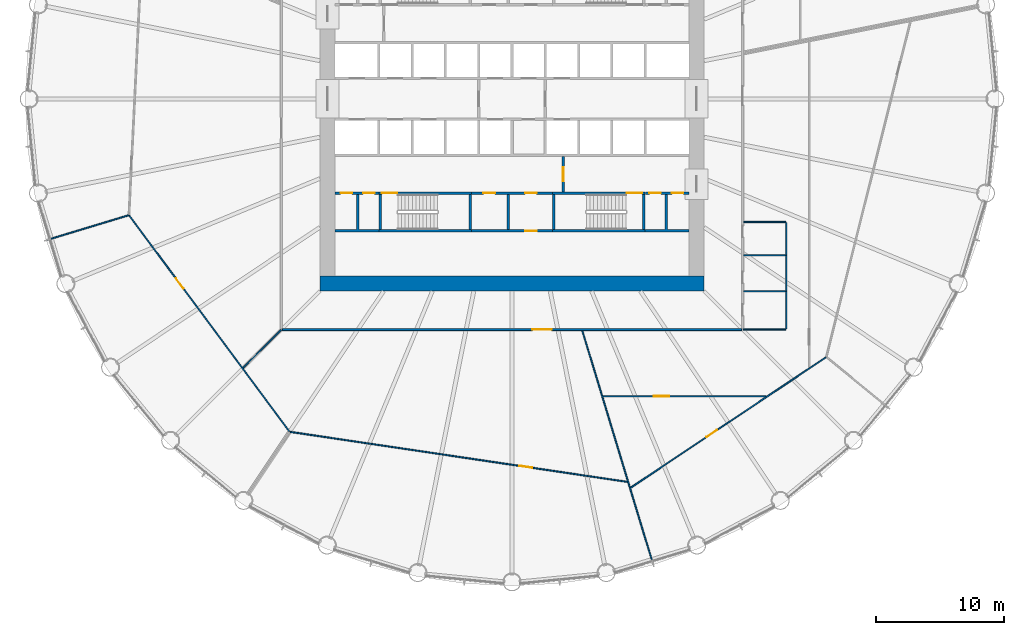
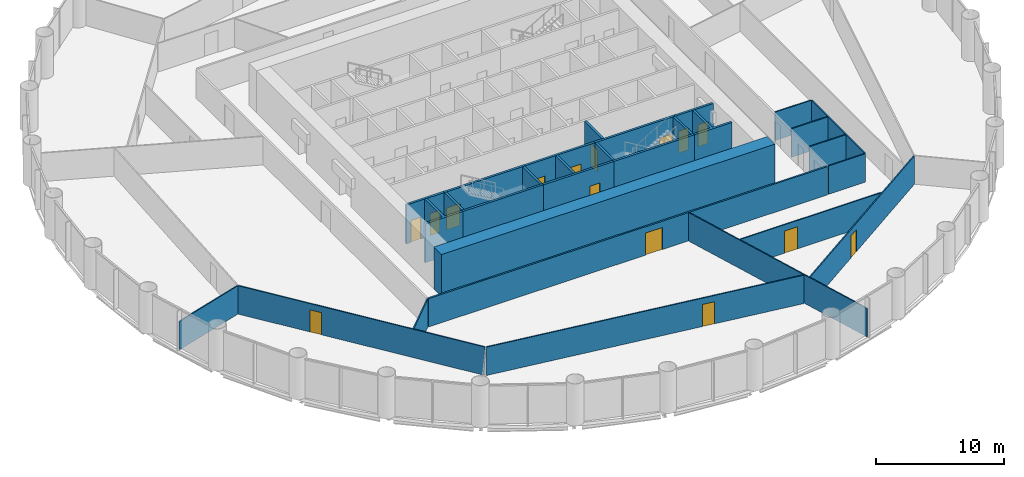
# One storey, part 10 of 15: 30 walls, 15 doors, 15 openings.
"""IFC4 building model written with IfcOpenShell, lengths in metres."""

import ifcopenshell
import ifcopenshell.guid

model = None  # the IFC model being written
_history = None  # IfcOwnerHistory: only IFC2X3 demands one
_inside = {}  # id of a spatial element -> (the spatial element, [elements in it])
_under = {}  # id of a project, library or spatial element -> (it, [spatial elements below it])
_declared = {}  # id of a project -> (the project, [libraries it declares])
_typed = {}  # id of a type object -> (the type object, [elements of that type])
_made_of = {}  # id of a material, layer set ... -> (it, [elements and type objects made of it])


def new_model(schema):
    """Start an empty IFC model of exactly this schema.

    Asked for "IFC4X3", IfcOpenShell would pick the latest addendum, in which some entities
    have other attributes; the version numbers below select the first issue.
    IFC2X3 requires an IfcOwnerHistory on every rooted entity: one is made here for all.
    """
    global model, _history
    if schema == "IFC4X3":
        model = ifcopenshell.file(schema_version=(4, 3, 0, 0))
    else:
        model = ifcopenshell.file(schema=schema)
    _inside.clear()
    _under.clear()
    _declared.clear()
    _typed.clear()
    _made_of.clear()
    _history = None
    if model.schema == "IFC2X3":
        org = make("IfcOrganization", Name="unknown")
        user = make(
            "IfcPersonAndOrganization",
            ThePerson=make("IfcPerson", FamilyName="unknown"),
            TheOrganization=org,
        )
        app = make(
            "IfcApplication",
            ApplicationDeveloper=org,
            Version="unknown",
            ApplicationFullName="unknown",
            ApplicationIdentifier="unknown",
        )
        _history = make(
            "IfcOwnerHistory",
            OwningUser=user,
            OwningApplication=app,
            ChangeAction="ADDED",
            CreationDate=0,
        )
    return model


def make(cls, **values):
    """One entity of the class cls with the attributes given. An attribute that is None is left unset."""
    return model.create_entity(
        cls, **{name: value for name, value in values.items() if value is not None}
    )


def rooted(cls, **values):
    """An entity with a GlobalId (a new one), such as an element, a storey or a relation."""
    return make(cls, GlobalId=ifcopenshell.guid.new(), OwnerHistory=_history, **values)


def si_unit(unit_type, name, prefix=None):
    """IfcSIUnit, for example si_unit("LENGTHUNIT", "METRE", prefix="MILLI")."""
    return make("IfcSIUnit", UnitType=unit_type, Prefix=prefix, Name=name)


def assignment(units):
    """IfcUnitAssignment: the units of a project."""
    return None if units is None else make("IfcUnitAssignment", Units=units)


def point(xyz):
    """IfcCartesianPoint."""
    return None if xyz is None else make("IfcCartesianPoint", Coordinates=xyz)


def direction(xyz):
    """IfcDirection."""
    return None if xyz is None else make("IfcDirection", DirectionRatios=xyz)


def frame(location, z_axis=None, x_axis=None):
    """IfcAxis2Placement3D, a coordinate frame: its origin and axes. An axis left out is left unset."""
    return make(
        "IfcAxis2Placement3D",
        Location=point(location),
        Axis=direction(z_axis),
        RefDirection=direction(x_axis),
    )


def frame_2d(location, x_axis=None):
    """IfcAxis2Placement2D, a coordinate frame in the plane: its origin and x axis."""
    return make(
        "IfcAxis2Placement2D", Location=point(location), RefDirection=direction(x_axis)
    )


def origin():
    """The frame at (0, 0, 0) with its axes left unset."""
    return frame((0.0, 0.0, 0.0))


def place(relative_to, where):
    """IfcLocalPlacement: puts the frame where relative to a parent placement (None: the world)."""
    return make(
        "IfcLocalPlacement", PlacementRelTo=relative_to, RelativePlacement=where
    )


def context(
    kind, dimensions, precision=None, world=None, true_north=None, identifier=None
):
    """IfcGeometricRepresentationContext, for example the 3D "Model" context."""
    return make(
        "IfcGeometricRepresentationContext",
        ContextIdentifier=identifier,
        ContextType=kind,
        CoordinateSpaceDimension=dimensions,
        Precision=precision,
        WorldCoordinateSystem=world,
        TrueNorth=true_north,
    )


def subcontext(parent, identifier, kind, view, scale=None):
    """IfcGeometricRepresentationSubContext, for example "Body" below "Model"."""
    return make(
        "IfcGeometricRepresentationSubContext",
        ContextIdentifier=identifier,
        ContextType=kind,
        ParentContext=parent,
        TargetScale=scale,
        TargetView=view,
    )


def project(units=None, contexts=None):
    """IfcProject with its units and contexts."""
    return rooted(
        "IfcProject",
        Name="project",
        RepresentationContexts=contexts,
        UnitsInContext=assignment(units),
    )


def spatial(cls, under=None, at=None, **own):
    """A site, building, storey or space (cls), placed at a placement, below another one or the project."""
    s = rooted(cls, ObjectPlacement=at, **own)
    if under is not None:
        _under.setdefault(under.id(), (under, []))[1].append(s)
    return s


def polyline(points):
    """IfcPolyline through the points."""
    return make("IfcPolyline", Points=[point(p) for p in points])


def profile(cls, at=None, kind="AREA", **sizes):
    """A parametric profile (cls). Its sizes go by their IFC names, for example OverallWidth=200.0."""
    return make(cls, ProfileType=kind, Position=at, **sizes)


def rectangle(**sizes):
    """IfcRectangleProfileDef."""
    return profile("IfcRectangleProfileDef", **sizes)


def outline(outer, holes=None, kind="AREA"):
    """IfcArbitraryClosedProfileDef: a profile drawn as a closed curve; with holes, ...WithVoids."""
    if holes is None:
        return make("IfcArbitraryClosedProfileDef", ProfileType=kind, OuterCurve=outer)
    return make(
        "IfcArbitraryProfileDefWithVoids",
        ProfileType=kind,
        OuterCurve=outer,
        InnerCurves=holes,
    )


def extrude(swept, where, along, depth):
    """IfcExtrudedAreaSolid: the profile swept, set in the frame where, extruded along a direction by depth."""
    return make(
        "IfcExtrudedAreaSolid",
        SweptArea=swept,
        Position=where,
        ExtrudedDirection=direction(along),
        Depth=depth,
    )


def shape(context_of_items, identifier, shape_type, items):
    """IfcShapeRepresentation: the items that make up one representation, for example the "Body"."""
    return make(
        "IfcShapeRepresentation",
        ContextOfItems=context_of_items,
        RepresentationIdentifier=identifier,
        RepresentationType=shape_type,
        Items=items,
    )


def material(Name=None, Category=None):
    """IfcMaterial."""
    return make("IfcMaterial", Name=Name, Category=Category)


def layer(
    of_material, thickness, ventilated=None, Name=None, Category=None, Priority=None
):
    """IfcMaterialLayer: one layer of a wall or slab, of a material (None: an air gap)."""
    return make(
        "IfcMaterialLayer",
        Material=of_material,
        LayerThickness=thickness,
        IsVentilated=ventilated,
        Name=Name,
        Category=Category,
        Priority=Priority,
    )


def layer_set(layers, Name=None):
    """IfcMaterialLayerSet."""
    return make("IfcMaterialLayerSet", MaterialLayers=layers, LayerSetName=Name)


def made_of(thing, what):
    """Note that an element or type object is made of a material, layer set ...; save() writes the relation."""
    if what is not None:
        _made_of.setdefault(what.id(), (what, []))[1].append(thing)
    return thing


def type_object(cls, material=None, **own):
    """A type object (cls), such as IfcWallType, which elements share."""
    return made_of(rooted(cls, **own), material)


def element(
    cls,
    number,
    at=None,
    inside=None,
    cuts=None,
    type_object=None,
    material=None,
    context=None,
    identifier="Body",
    shape_type=None,
    held_by="IfcProductDefinitionShape",
    body=None,
    shapes=None,
    **own,
):
    """One element of the class cls, such as IfcWall. Its Tag is "e" and its number.

    at: its placement. inside: the storey or other place that contains it. cuts: it is an
    opening in that element (IfcRelVoidsElement). A single representation is given by context,
    identifier, shape_type and body (its items); several are given by shapes. held_by: the class
    of the entity that holds the representations. save() writes the other relations.
    """
    e = rooted(cls, Tag="e%d" % number, ObjectPlacement=at, **own)
    if body is not None:
        shapes = [shape(context, identifier, shape_type, body)]
    if shapes is not None:
        e.Representation = make(held_by, Representations=shapes)
    if inside is not None:
        _inside.setdefault(inside.id(), (inside, []))[1].append(e)
    if cuts is not None:
        rooted(
            "IfcRelVoidsElement", RelatingBuildingElement=cuts, RelatedOpeningElement=e
        )
    if type_object is not None:
        _typed.setdefault(type_object.id(), (type_object, []))[1].append(e)
    return made_of(e, material)


def fill(opening, filler):
    """IfcRelFillsElement: the door or window that sits in an opening."""
    return rooted(
        "IfcRelFillsElement",
        RelatingOpeningElement=opening,
        RelatedBuildingElement=filler,
    )


def aggregate(whole, parts):
    """IfcRelAggregates: a whole, such as a stair, and the parts it consists of."""
    return rooted("IfcRelAggregates", RelatingObject=whole, RelatedObjects=parts)


def save(model, path):
    """Write the relations noted so far, then the file.

    IfcRelAggregates (storeys below a building ...), IfcRelContainedInSpatialStructure (elements
    in a storey), IfcRelDefinesByType, IfcRelAssociatesMaterial and IfcRelDeclares: one each for
    every whole, place, type object, material and project.
    """
    for whole, parts in _under.values():
        aggregate(whole, parts)
    for where, things in _inside.values():
        rooted(
            "IfcRelContainedInSpatialStructure",
            RelatedElements=things,
            RelatingStructure=where,
        )
    for kind, things in _typed.values():
        rooted("IfcRelDefinesByType", RelatedObjects=things, RelatingType=kind)
    for what, things in _made_of.values():
        rooted("IfcRelAssociatesMaterial", RelatedObjects=things, RelatingMaterial=what)
    for by, libraries in _declared.values():
        rooted("IfcRelDeclares", RelatingContext=by, RelatedDefinitions=libraries)
    model.write(path)


model = new_model("IFC4")

# Units and contexts
model_context = context("Model", 3, precision=1e-05, world=origin(), true_north=direction((0.0, 1.0)))
body_context = subcontext(model_context, "Body", "Model", "MODEL_VIEW")
ifc_project = project(units=[si_unit("LENGTHUNIT", "METRE"), si_unit("AREAUNIT", "SQUARE_METRE"), si_unit("VOLUMEUNIT", "CUBIC_METRE"), si_unit("PLANEANGLEUNIT", "RADIAN"), si_unit("MASSUNIT", "GRAM", prefix="KILO")], contexts=[model_context])

# Site, building, storey
site_placement = place(None, origin())
site = spatial("IfcSite", under=ifc_project, at=site_placement, CompositionType="ELEMENT")
building_placement = place(site_placement, origin())
building = spatial("IfcBuilding", under=site, at=building_placement, Name="Corvane Civic Tower", CompositionType="ELEMENT")
storey_placement = place(building_placement, frame((0.0, 0.0, 69.0)))
storey = spatial("IfcBuildingStorey", under=building, at=storey_placement, Name="L15", CompositionType="ELEMENT", Elevation=69.0)

# Wall
ifc_material_1 = material(Name="Concrete C80/95", Category="concrete")
ifc_layer_1 = layer(ifc_material_1, 1.199951171875)
ifc_layer_set_1 = layer_set([ifc_layer_1], Name="Concrete C80/95")
wall_type_1 = type_object("IfcWallType", Name="CORE WALL 1200 C80/95", PredefinedType="SHEAR", material=ifc_layer_set_1)
wall_1_placement = place(storey_placement, frame((-15.0, -14.39990234375, 0.0), z_axis=(0.0, 0.0, 1.0), x_axis=(1.0, 0.0, 0.0)))
element("IfcWall", 1, at=wall_1_placement, inside=storey, type_object=wall_type_1, Name="W-L15-core-S", PredefinedType="SHEAR", context=body_context, shape_type="SweptSolid", body=[
    extrude(rectangle(XDim=30.0, YDim=1.199951171875, at=frame_2d((15.0, 0.0))), origin(), (0.0, 0.0, 1.0), 4.0),
])

# Wall, opening, door
ifc_material_2 = material(Name="Concrete C30/37", Category="concrete")
ifc_layer_2 = layer(ifc_material_2, 0.199951171875)
ifc_layer_set_2 = layer_set([ifc_layer_2], Name="Concrete C30/37")
wall_type_2 = type_object("IfcWallType", Name="CR-WALL-200", PredefinedType="PARTITIONING", material=ifc_layer_set_2)
wall_2_placement = place(storey_placement, frame((-3.14990234375, -10.300048828125, 0.0), z_axis=(0.0, 0.0, 1.0), x_axis=(1.0, 0.0, 0.0)))
wall_2 = element("IfcWall", 2, at=wall_2_placement, inside=storey, type_object=wall_type_2, Name="L15 partition wall", PredefinedType="PARTITIONING", context=body_context, shape_type="SweptSolid", body=[
    extrude(rectangle(XDim=6.2998046875, YDim=0.199951171875, at=frame_2d((3.14990234375, 0.0))), origin(), (0.0, 0.0, 1.0), 3.699951171875),
])
opening_1_placement = place(wall_2_placement, frame((4.175048828125, 0.0, 0.0)))
opening_1 = element("IfcOpeningElement", 3, at=opening_1_placement, cuts=wall_2, Name="Opening L15.C07", PredefinedType="OPENING", context=body_context, shape_type="SweptSolid", body=[
    extrude(rectangle(XDim=0.89990234375, YDim=2.10009765625, at=frame_2d((0.449951171875, 1.050048828125))), frame((0.0, 0.10986328125, 0.0), z_axis=(0.0, -1.0, 0.0), x_axis=(1.0, 0.0, 0.0)), (0.0, 0.0, 1.0), 0.219970703125),
])
ifc_material_3 = material(Name="Steel fire door leaf", Category="steel")
door_type_1 = type_object("IfcDoorType", Name="CR-DOOR-900", OperationType="SINGLE_SWING_LEFT", PredefinedType="DOOR", material=ifc_material_3)
door_1_placement = place(opening_1_placement, origin())
door_1 = element("IfcDoor", 4, at=door_1_placement, inside=storey, type_object=door_type_1, Name="L15 door", OperationType="SINGLE_SWING_LEFT", OverallHeight=2.10009765625, OverallWidth=0.89990234375, PredefinedType="DOOR", context=body_context, shape_type="SweptSolid", body=[
    extrude(rectangle(XDim=0.89990234375, YDim=2.10009765625, at=frame_2d((0.449951171875, 1.050048828125))), frame((0.0, 0.02490234375, 0.0), z_axis=(0.0, -1.0, 0.0), x_axis=(1.0, 0.0, 0.0)), (0.0, 0.0, 1.0), 0.050048828125),
])
fill(opening_1, door_1)

# Wall, openings, doors
wall_3_placement = place(storey_placement, frame((-13.800048828125, -7.35009765625, 0.0), z_axis=(0.0, 0.0, 1.0), x_axis=(1.0, 0.0, 0.0)))
wall_3 = element("IfcWall", 5, at=wall_3_placement, inside=storey, type_object=wall_type_2, Name="L15 core partition wall", PredefinedType="PARTITIONING", context=body_context, shape_type="SweptSolid", body=[
    extrude(rectangle(XDim=3.400146484375, YDim=0.199951171875, at=frame_2d((1.7001953125, 0.0))), origin(), (0.0, 0.0, 1.0), 3.699951171875),
])
opening_2_placement = place(wall_3_placement, frame((0.425048828125, 0.0, 0.0)))
opening_2 = element("IfcOpeningElement", 6, at=opening_2_placement, cuts=wall_3, Name="Opening L15.C10", PredefinedType="OPENING", context=body_context, shape_type="SweptSolid", body=[
    extrude(rectangle(XDim=0.89990234375, YDim=2.10009765625, at=frame_2d((0.449951171875, 1.050048828125))), frame((0.0, 0.10986328125, 0.0), z_axis=(0.0, -1.0, 0.0), x_axis=(1.0, 0.0, 0.0)), (0.0, 0.0, 1.0), 0.219970703125),
])
opening_3_placement = place(wall_3_placement, frame((2.175048828125, 0.0, 0.0)))
opening_3 = element("IfcOpeningElement", 7, at=opening_3_placement, cuts=wall_3, Name="Opening L15.C11", PredefinedType="OPENING", context=body_context, shape_type="SweptSolid", body=[
    extrude(rectangle(XDim=0.89990234375, YDim=2.10009765625, at=frame_2d((0.449951171875, 1.050048828125))), frame((0.0, 0.10986328125, 0.0), z_axis=(0.0, -1.0, 0.0), x_axis=(1.0, 0.0, 0.0)), (0.0, 0.0, 1.0), 0.219970703125),
])
door_2_placement = place(opening_2_placement, origin())
door_2 = element("IfcDoor", 8, at=door_2_placement, inside=storey, type_object=door_type_1, Name="L15 door", OperationType="SINGLE_SWING_LEFT", OverallHeight=2.10009765625, OverallWidth=0.89990234375, PredefinedType="DOOR", context=body_context, shape_type="SweptSolid", body=[
    extrude(rectangle(XDim=0.89990234375, YDim=2.10009765625, at=frame_2d((0.449951171875, 1.050048828125))), frame((0.0, 0.02490234375, 0.0), z_axis=(0.0, -1.0, 0.0), x_axis=(1.0, 0.0, 0.0)), (0.0, 0.0, 1.0), 0.050048828125),
])
fill(opening_2, door_2)
door_3_placement = place(opening_3_placement, origin())
door_3 = element("IfcDoor", 9, at=door_3_placement, inside=storey, type_object=door_type_1, Name="L15 door", OperationType="SINGLE_SWING_LEFT", OverallHeight=2.10009765625, OverallWidth=0.89990234375, PredefinedType="DOOR", context=body_context, shape_type="SweptSolid", body=[
    extrude(rectangle(XDim=0.89990234375, YDim=2.10009765625, at=frame_2d((0.449951171875, 1.050048828125))), frame((0.0, 0.02490234375, 0.0), z_axis=(0.0, -1.0, 0.0), x_axis=(1.0, 0.0, 0.0)), (0.0, 0.0, 1.0), 0.050048828125),
])
fill(opening_3, door_3)

wall_4_placement = place(storey_placement, frame((-3.14990234375, -7.35009765625, 0.0), z_axis=(0.0, 0.0, 1.0), x_axis=(1.0, 0.0, 0.0)))
wall_4 = element("IfcWall", 10, at=wall_4_placement, inside=storey, type_object=wall_type_2, Name="L15 core partition wall", PredefinedType="PARTITIONING", context=body_context, shape_type="SweptSolid", body=[
    extrude(rectangle(XDim=6.2998046875, YDim=0.199951171875, at=frame_2d((3.14990234375, 0.0))), origin(), (0.0, 0.0, 1.0), 3.699951171875),
])
opening_4_placement = place(wall_4_placement, frame((0.925048828125, 0.0, 0.0)))
opening_4 = element("IfcOpeningElement", 11, at=opening_4_placement, cuts=wall_4, Name="Opening L15.C04", PredefinedType="OPENING", context=body_context, shape_type="SweptSolid", body=[
    extrude(rectangle(XDim=0.89990234375, YDim=2.10009765625, at=frame_2d((0.449951171875, 1.050048828125))), frame((0.0, 0.10986328125, 0.0), z_axis=(0.0, -1.0, 0.0), x_axis=(1.0, 0.0, 0.0)), (0.0, 0.0, 1.0), 0.219970703125),
])
opening_5_placement = place(wall_4_placement, frame((4.175048828125, 0.0, 0.0)))
opening_5 = element("IfcOpeningElement", 12, at=opening_5_placement, cuts=wall_4, Name="Opening L15.C05", PredefinedType="OPENING", context=body_context, shape_type="SweptSolid", body=[
    extrude(rectangle(XDim=0.89990234375, YDim=2.10009765625, at=frame_2d((0.449951171875, 1.050048828125))), frame((0.0, 0.10986328125, 0.0), z_axis=(0.0, -1.0, 0.0), x_axis=(1.0, 0.0, 0.0)), (0.0, 0.0, 1.0), 0.219970703125),
])
door_4_placement = place(opening_4_placement, origin())
door_4 = element("IfcDoor", 13, at=door_4_placement, inside=storey, type_object=door_type_1, Name="L15 door", OperationType="SINGLE_SWING_LEFT", OverallHeight=2.10009765625, OverallWidth=0.89990234375, PredefinedType="DOOR", context=body_context, shape_type="SweptSolid", body=[
    extrude(rectangle(XDim=0.89990234375, YDim=2.10009765625, at=frame_2d((0.449951171875, 1.050048828125))), frame((0.0, 0.02490234375, 0.0), z_axis=(0.0, -1.0, 0.0), x_axis=(1.0, 0.0, 0.0)), (0.0, 0.0, 1.0), 0.050048828125),
])
fill(opening_4, door_4)
door_5_placement = place(opening_5_placement, origin())
door_5 = element("IfcDoor", 14, at=door_5_placement, inside=storey, type_object=door_type_1, Name="L15 door", OperationType="SINGLE_SWING_LEFT", OverallHeight=2.10009765625, OverallWidth=0.89990234375, PredefinedType="DOOR", context=body_context, shape_type="SweptSolid", body=[
    extrude(rectangle(XDim=0.89990234375, YDim=2.10009765625, at=frame_2d((0.449951171875, 1.050048828125))), frame((0.0, 0.02490234375, 0.0), z_axis=(0.0, -1.0, 0.0), x_axis=(1.0, 0.0, 0.0)), (0.0, 0.0, 1.0), 0.050048828125),
])
fill(opening_5, door_5)

wall_5_placement = place(storey_placement, frame((10.39990234375, -7.35009765625, 0.0), z_axis=(0.0, 0.0, 1.0), x_axis=(1.0, 0.0, 0.0)))
wall_5 = element("IfcWall", 15, at=wall_5_placement, inside=storey, type_object=wall_type_2, Name="L15 core partition wall", PredefinedType="PARTITIONING", context=body_context, shape_type="SweptSolid", body=[
    extrude(rectangle(XDim=3.400146484375, YDim=0.199951171875, at=frame_2d((1.7001953125, 0.0))), origin(), (0.0, 0.0, 1.0), 3.699951171875),
])
opening_6_placement = place(wall_5_placement, frame((0.324951171875, 0.0, 0.0)))
opening_6 = element("IfcOpeningElement", 16, at=opening_6_placement, cuts=wall_5, Name="Opening L15.C14", PredefinedType="OPENING", context=body_context, shape_type="SweptSolid", body=[
    extrude(rectangle(XDim=0.89990234375, YDim=2.10009765625, at=frame_2d((0.449951171875, 1.050048828125))), frame((0.0, 0.10986328125, 0.0), z_axis=(0.0, -1.0, 0.0), x_axis=(1.0, 0.0, 0.0)), (0.0, 0.0, 1.0), 0.219970703125),
])
opening_7_placement = place(wall_5_placement, frame((2.074951171875, 0.0, 0.0)))
opening_7 = element("IfcOpeningElement", 17, at=opening_7_placement, cuts=wall_5, Name="Opening L15.C15", PredefinedType="OPENING", context=body_context, shape_type="SweptSolid", body=[
    extrude(rectangle(XDim=0.89990234375, YDim=2.10009765625, at=frame_2d((0.449951171875, 1.050048828125))), frame((0.0, 0.10986328125, 0.0), z_axis=(0.0, -1.0, 0.0), x_axis=(1.0, 0.0, 0.0)), (0.0, 0.0, 1.0), 0.219970703125),
])
door_6_placement = place(opening_6_placement, origin())
door_6 = element("IfcDoor", 18, at=door_6_placement, inside=storey, type_object=door_type_1, Name="L15 door", OperationType="SINGLE_SWING_LEFT", OverallHeight=2.10009765625, OverallWidth=0.89990234375, PredefinedType="DOOR", context=body_context, shape_type="SweptSolid", body=[
    extrude(rectangle(XDim=0.89990234375, YDim=2.10009765625, at=frame_2d((0.449951171875, 1.050048828125))), frame((0.0, 0.02490234375, 0.0), z_axis=(0.0, -1.0, 0.0), x_axis=(1.0, 0.0, 0.0)), (0.0, 0.0, 1.0), 0.050048828125),
])
fill(opening_6, door_6)
door_7_placement = place(opening_7_placement, origin())
door_7 = element("IfcDoor", 19, at=door_7_placement, inside=storey, type_object=door_type_1, Name="L15 door", OperationType="SINGLE_SWING_LEFT", OverallHeight=2.10009765625, OverallWidth=0.89990234375, PredefinedType="DOOR", context=body_context, shape_type="SweptSolid", body=[
    extrude(rectangle(XDim=0.89990234375, YDim=2.10009765625, at=frame_2d((0.449951171875, 1.050048828125))), frame((0.0, 0.02490234375, 0.0), z_axis=(0.0, -1.0, 0.0), x_axis=(1.0, 0.0, 0.0)), (0.0, 0.0, 1.0), 0.050048828125),
])
fill(opening_7, door_7)

# Wall, opening, door
wall_6_placement = place(storey_placement, frame((4.0, -7.25, 0.0), z_axis=(0.0, 0.0, 1.0), x_axis=(0.0, 1.0, 0.0)))
wall_6 = element("IfcWall", 20, at=wall_6_placement, inside=storey, type_object=wall_type_2, Name="L15 core partition wall", PredefinedType="PARTITIONING", context=body_context, shape_type="SweptSolid", body=[
    extrude(rectangle(XDim=2.75, YDim=0.199951171875, at=frame_2d((1.375, 0.0))), origin(), (0.0, 0.0, 1.0), 3.699951171875),
])
opening_8_placement = place(wall_6_placement, frame((0.824951171875, 0.0, 0.0)))
opening_8 = element("IfcOpeningElement", 21, at=opening_8_placement, cuts=wall_6, Name="Opening L15.C23", PredefinedType="OPENING", context=body_context, shape_type="SweptSolid", body=[
    extrude(rectangle(XDim=1.10009765625, YDim=2.10009765625, at=frame_2d((0.550048828125, 1.050048828125))), frame((0.0, 0.10986328125, 0.0), z_axis=(0.0, -1.0, 0.0), x_axis=(1.0, 0.0, 0.0)), (0.0, 0.0, 1.0), 0.219970703125),
])
ifc_material_4 = material(Name="Steel fire door leaf", Category="steel")
door_type_2 = type_object("IfcDoorType", Name="CR-DOOR-FFL-1100", OperationType="SINGLE_SWING_LEFT", PredefinedType="DOOR", material=ifc_material_4)
door_8_placement = place(opening_8_placement, origin())
door_8 = element("IfcDoor", 22, at=door_8_placement, inside=storey, type_object=door_type_2, Name="L15 lobby door", OperationType="SINGLE_SWING_LEFT", OverallHeight=2.10009765625, OverallWidth=1.10009765625, PredefinedType="DOOR", context=body_context, shape_type="SweptSolid", body=[
    extrude(rectangle(XDim=1.10009765625, YDim=2.10009765625, at=frame_2d((0.550048828125, 1.050048828125))), frame((0.0, 0.02490234375, 0.0), z_axis=(0.0, -1.0, 0.0), x_axis=(1.0, 0.0, 0.0)), (0.0, 0.0, 1.0), 0.050048828125),
])
fill(opening_8, door_8)

# Walls
wall_7_placement = place(storey_placement, origin())
element("IfcWall", 23, at=wall_7_placement, inside=storey, type_object=wall_type_2, Name="L15 core partition wall", PredefinedType="PARTITIONING", context=body_context, shape_type="SweptSolid", body=[
    extrude(outline(polyline([(-12.14990234375, -7.449951171875), (-11.949951171875, -7.449951171875), (-11.949951171875, -10.199951171875), (-10.39990234375, -10.199951171875), (-10.39990234375, -10.39990234375), (-13.800048828125, -10.39990234375), (-13.800048828125, -10.199951171875), (-12.14990234375, -10.199951171875), (-12.14990234375, -7.449951171875)])), origin(), (0.0, 0.0, 1.0), 3.699951171875),
])
wall_8_placement = place(storey_placement, origin())
element("IfcWall", 24, at=wall_8_placement, inside=storey, type_object=wall_type_2, Name="L15 core partition wall", PredefinedType="PARTITIONING", context=body_context, shape_type="SweptSolid", body=[
    extrude(outline(polyline([(-0.199951171875, -10.199951171875), (-0.39990234375, -10.199951171875), (-0.39990234375, -7.449951171875), (-0.199951171875, -7.449951171875), (-0.199951171875, -10.199951171875)])), origin(), (0.0, 0.0, 1.0), 3.699951171875),
])
wall_9_placement = place(storey_placement, origin())
element("IfcWall", 25, at=wall_9_placement, inside=storey, type_object=wall_type_2, Name="L15 core partition wall", PredefinedType="PARTITIONING", context=body_context, shape_type="SweptSolid", body=[
    extrude(outline(polyline([(11.949951171875, -7.449951171875), (12.14990234375, -7.449951171875), (12.14990234375, -10.199951171875), (13.800048828125, -10.199951171875), (13.800048828125, -10.39990234375), (10.39990234375, -10.39990234375), (10.39990234375, -10.199951171875), (11.949951171875, -10.199951171875), (11.949951171875, -7.449951171875)])), origin(), (0.0, 0.0, 1.0), 3.699951171875),
])
ifc_material_5 = material(Name="Plasterboard")
ifc_layer_3 = layer(ifc_material_5, 0.10009765625)
ifc_layer_set_3 = layer_set([ifc_layer_3], Name="Plasterboard")
wall_type_3 = type_object("IfcWallType", Name="Partition 100 plasterboard on studs", PredefinedType="PARTITIONING", material=ifc_layer_set_3)
wall_10_placement = place(storey_placement, frame((5.4873046875, -18.089599609375, 0.0), z_axis=(0.0, 0.0, 1.0), x_axis=(0.290288785373, -0.956939089539, 0.0)))
element("IfcWall", 26, at=wall_10_placement, inside=storey, type_object=wall_type_3, Name="Partition L15.001", PredefinedType="PARTITIONING", context=body_context, shape_type="SweptSolid", body=[
    extrude(rectangle(XDim=19.046630859375, YDim=0.10009765625, at=frame_2d((9.5234375, 0.0))), origin(), (0.0, 0.0, 1.0), 2.699951171875),
])

# Wall, opening, door
wall_11_placement = place(storey_placement, frame((9.2705078125, -30.33837890625, 0.0), z_axis=(0.0, 0.0, 1.0), x_axis=(0.831469761592, 0.555570009592, 0.0)))
wall_11 = element("IfcWall", 27, at=wall_11_placement, inside=storey, type_object=wall_type_3, Name="Partition L15.003", PredefinedType="PARTITIONING", context=body_context, shape_type="SweptSolid", body=[
    extrude(rectangle(XDim=18.32421875, YDim=0.10009765625, at=frame_2d((9.162109375, 0.0))), origin(), (0.0, 0.0, 1.0), 2.699951171875),
])
opening_9_placement = place(wall_11_placement, frame((7.1015625, 0.0, 0.0)))
opening_9 = element("IfcOpeningElement", 28, at=opening_9_placement, cuts=wall_11, Name="Opening L15.012", PredefinedType="OPENING", context=body_context, shape_type="SweptSolid", body=[
    extrude(rectangle(XDim=1.0, YDim=2.10009765625, at=frame_2d((0.5, 1.050048828125))), frame((0.0, 0.06005859375, 0.0), z_axis=(0.0, -1.0, 0.0), x_axis=(1.0, 0.0, 0.0)), (0.0, 0.0, 1.0), 0.1201171875),
])
ifc_material_6 = material(Name="Timber", Category="wood")
door_type_3 = type_object("IfcDoorType", Name="Single door 1000", OperationType="NOTDEFINED", PredefinedType="DOOR", material=ifc_material_6)
door_9_placement = place(opening_9_placement, frame((1.0, 0.0, 0.0), z_axis=(0.0, 0.0, 1.0), x_axis=(-1.0, 0.0, 0.0)))
door_9 = element("IfcDoor", 29, at=door_9_placement, inside=storey, type_object=door_type_3, Name="Door L15.012", OperationType="SINGLE_SWING_LEFT", OverallHeight=2.10009765625, OverallWidth=1.0, PredefinedType="DOOR", context=body_context, shape_type="SweptSolid", body=[
    extrude(rectangle(XDim=1.0, YDim=2.10009765625, at=frame_2d((0.5, 1.050048828125))), frame((0.0, 0.02490234375, 0.0), z_axis=(0.0, -1.0, 0.0), x_axis=(1.0, 0.0, 0.0)), (0.0, 0.0, 1.0), 0.050048828125),
])
fill(opening_9, door_9)

wall_12_placement = place(storey_placement, frame((-17.32568359375, -25.9814453125, 0.0), z_axis=(0.0, 0.0, 1.0), x_axis=(0.989175952024, -0.146734235738, 0.0)))
wall_12 = element("IfcWall", 30, at=wall_12_placement, inside=storey, type_object=wall_type_3, Name="Partition L15.004", PredefinedType="PARTITIONING", context=body_context, shape_type="SweptSolid", body=[
    extrude(rectangle(XDim=26.604736328125, YDim=0.10009765625, at=frame_2d((13.30224609375, 0.0))), origin(), (0.0, 0.0, 1.0), 2.699951171875),
])
opening_10_placement = place(wall_12_placement, frame((18.100341796875, 0.0, 0.0)))
opening_10 = element("IfcOpeningElement", 31, at=opening_10_placement, cuts=wall_12, Name="Opening L15.019", PredefinedType="OPENING", context=body_context, shape_type="SweptSolid", body=[
    extrude(rectangle(XDim=1.0, YDim=2.10009765625, at=frame_2d((0.5, 1.050048828125))), frame((0.0, 0.06005859375, 0.0), z_axis=(0.0, -1.0, 0.0), x_axis=(1.0, 0.0, 0.0)), (0.0, 0.0, 1.0), 0.1201171875),
])
door_10_placement = place(opening_10_placement, frame((1.0, 0.0, 0.0), z_axis=(0.0, 0.0, 1.0), x_axis=(-1.0, 0.0, 0.0)))
door_10 = element("IfcDoor", 32, at=door_10_placement, inside=storey, type_object=door_type_3, Name="Door L15.019", OperationType="SINGLE_SWING_RIGHT", OverallHeight=2.10009765625, OverallWidth=1.0, PredefinedType="DOOR", context=body_context, shape_type="SweptSolid", body=[
    extrude(rectangle(XDim=1.0, YDim=2.10009765625, at=frame_2d((0.5, 1.050048828125))), frame((0.0, 0.02490234375, 0.0), z_axis=(0.0, -1.0, 0.0), x_axis=(1.0, 0.0, 0.0)), (0.0, 0.0, 1.0), 0.050048828125),
])
fill(opening_10, door_10)

wall_13_placement = place(storey_placement, frame((-29.8759765625, -9.097412109375, 0.0), z_axis=(0.0, 0.0, 1.0), x_axis=(0.595705280383, -0.803203099424, 0.0)))
wall_13 = element("IfcWall", 33, at=wall_13_placement, inside=storey, type_object=wall_type_3, Name="Partition L15.005", PredefinedType="PARTITIONING", context=body_context, shape_type="SweptSolid", body=[
    extrude(rectangle(XDim=20.979736328125, YDim=0.10009765625, at=frame_2d((10.48974609375, 0.0))), origin(), (0.0, 0.0, 1.0), 2.699951171875),
])
opening_11_placement = place(wall_13_placement, frame((6.098388671875, 0.0, 0.0)))
opening_11 = element("IfcOpeningElement", 34, at=opening_11_placement, cuts=wall_13, Name="Opening L15.020", PredefinedType="OPENING", context=body_context, shape_type="SweptSolid", body=[
    extrude(rectangle(XDim=1.0, YDim=2.10009765625, at=frame_2d((0.5, 1.050048828125))), frame((0.0, 0.06005859375, 0.0), z_axis=(0.0, -1.0, 0.0), x_axis=(1.0, 0.0, 0.0)), (0.0, 0.0, 1.0), 0.1201171875),
])
door_11_placement = place(opening_11_placement, frame((1.0, 0.0, 0.0), z_axis=(0.0, 0.0, 1.0), x_axis=(-1.0, 0.0, 0.0)))
door_11 = element("IfcDoor", 35, at=door_11_placement, inside=storey, type_object=door_type_3, Name="Door L15.020", OperationType="SINGLE_SWING_LEFT", OverallHeight=2.10009765625, OverallWidth=1.0, PredefinedType="DOOR", context=body_context, shape_type="SweptSolid", body=[
    extrude(rectangle(XDim=1.0, YDim=2.10009765625, at=frame_2d((0.5, 1.050048828125))), frame((0.0, 0.02490234375, 0.0), z_axis=(0.0, -1.0, 0.0), x_axis=(1.0, 0.0, 0.0)), (0.0, 0.0, 1.0), 0.050048828125),
])
fill(opening_11, door_11)

wall_14_placement = place(storey_placement, frame((7.10498046875, -23.199951171875, 0.0), z_axis=(0.0, 0.0, 1.0), x_axis=(1.0, 0.0, 0.0)))
wall_14 = element("IfcWall", 36, at=wall_14_placement, inside=storey, type_object=wall_type_3, Name="Partition L15.007", PredefinedType="PARTITIONING", context=body_context, shape_type="SweptSolid", body=[
    extrude(rectangle(XDim=12.68408203125, YDim=0.10009765625, at=frame_2d((6.342041015625, 0.0))), origin(), (0.0, 0.0, 1.0), 2.699951171875),
])
opening_12_placement = place(wall_14_placement, frame((3.967529296875, 0.0, 0.0)))
opening_12 = element("IfcOpeningElement", 37, at=opening_12_placement, cuts=wall_14, Name="Opening L15.013", PredefinedType="OPENING", context=body_context, shape_type="SweptSolid", body=[
    extrude(rectangle(XDim=1.199951171875, YDim=2.10009765625, at=frame_2d((0.60009765625, 1.050048828125))), frame((0.0, 0.06005859375, 0.0), z_axis=(0.0, -1.0, 0.0), x_axis=(1.0, 0.0, 0.0)), (0.0, 0.0, 1.0), 0.1201171875),
])
ifc_material_7 = material(Name="Timber", Category="wood")
door_type_4 = type_object("IfcDoorType", Name="Double door 1200", OperationType="NOTDEFINED", PredefinedType="DOOR", material=ifc_material_7)
door_12_placement = place(opening_12_placement, frame((1.199951171875, 0.0, 0.0), z_axis=(0.0, 0.0, 1.0), x_axis=(-1.0, 0.0, 0.0)))
door_12 = element("IfcDoor", 38, at=door_12_placement, inside=storey, type_object=door_type_4, Name="Door L15.013", OperationType="DOUBLE_DOOR_SINGLE_SWING", OverallHeight=2.10009765625, OverallWidth=1.199951171875, PredefinedType="DOOR", context=body_context, shape_type="SweptSolid", body=[
    extrude(rectangle(XDim=1.199951171875, YDim=2.10009765625, at=frame_2d((0.60009765625, 1.050048828125))), frame((0.0, 0.02490234375, 0.0), z_axis=(0.0, -1.0, 0.0), x_axis=(1.0, 0.0, 0.0)), (0.0, 0.0, 1.0), 0.050048828125),
])
fill(opening_12, door_12)

# Walls
wall_15_placement = place(storey_placement, frame((-20.98681640625, -20.98681640625, 0.0), z_axis=(0.0, 0.0, 1.0), x_axis=(0.707106781187, 0.707106781187, 0.0)))
element("IfcWall", 39, at=wall_15_placement, inside=storey, type_object=wall_type_3, Name="Partition L15.008", PredefinedType="PARTITIONING", context=body_context, shape_type="SweptSolid", body=[
    extrude(rectangle(XDim=4.203369140625, YDim=0.10009765625, at=frame_2d((2.1015625, 0.0))), origin(), (0.0, 0.0, 1.0), 2.699951171875),
])
wall_16_placement = place(storey_placement, frame((18.050048828125, -18.0, 0.0), z_axis=(0.0, 0.0, 1.0), x_axis=(1.0, 0.0, 0.0)))
element("IfcWall", 40, at=wall_16_placement, inside=storey, type_object=wall_type_3, Name="Partition L15.012", PredefinedType="PARTITIONING", context=body_context, shape_type="SweptSolid", body=[
    extrude(rectangle(XDim=3.300048828125, YDim=0.10009765625, at=frame_2d((1.64990234375, 0.0))), origin(), (0.0, 0.0, 1.0), 2.699951171875),
])
wall_17_placement = place(storey_placement, frame((21.39990234375, -17.949951171875, 0.0), z_axis=(0.0, 0.0, 1.0), x_axis=(0.0, 1.0, 0.0)))
element("IfcWall", 41, at=wall_17_placement, inside=storey, type_object=wall_type_3, Name="Partition L15.013", PredefinedType="PARTITIONING", context=body_context, shape_type="SweptSolid", body=[
    extrude(rectangle(XDim=8.300048828125, YDim=0.10009765625, at=frame_2d((4.14990234375, 0.0))), origin(), (0.0, 0.0, 1.0), 2.699951171875),
])
for number, where, z_axis, x_axis, name in (
    (42, (18.074951171875, -15.0, 0.0), (0.0, 0.0, 1.0), (1.0, 0.0, 0.0), "Partition L15.016"),
    (43, (18.074951171875, -12.199951171875, 0.0), (0.0, 0.0, 1.0), (1.0, 0.0, 0.0), "Partition L15.017"),
):
    element("IfcWall", number, at=place(storey_placement, frame(where, z_axis=z_axis, x_axis=x_axis)), inside=storey, type_object=wall_type_3, Name=name, PredefinedType="PARTITIONING", context=body_context, shape_type="SweptSolid", body=[
        extrude(rectangle(XDim=3.275146484375, YDim=0.10009765625, at=frame_2d((1.6376953125, 0.0))), origin(), (0.0, 0.0, 1.0), 2.699951171875),
    ])
wall_18_placement = place(storey_placement, frame((-36.316162109375, -11.016357421875, 0.0), z_axis=(0.0, 0.0, 1.0), x_axis=(0.956940666141, 0.290283588039, 0.0)))
element("IfcWall", 44, at=wall_18_placement, inside=storey, type_object=wall_type_3, Name="Partition L15.018", PredefinedType="PARTITIONING", context=body_context, shape_type="SweptSolid", body=[
    extrude(rectangle(XDim=6.6728515625, YDim=0.10009765625, at=frame_2d((3.33642578125, 0.0))), origin(), (0.0, 0.0, 1.0), 2.699951171875),
])
wall_19_placement = place(storey_placement, frame((18.074951171875, -9.60009765625, 0.0), z_axis=(0.0, 0.0, 1.0), x_axis=(1.0, 0.0, 0.0)))
element("IfcWall", 45, at=wall_19_placement, inside=storey, type_object=wall_type_3, Name="Partition L15.019", PredefinedType="PARTITIONING", context=body_context, shape_type="SweptSolid", body=[
    extrude(rectangle(XDim=3.275146484375, YDim=0.10009765625, at=frame_2d((1.6376953125, 0.0))), origin(), (0.0, 0.0, 1.0), 2.699951171875),
])

# Wall, opening, door
ifc_material_8 = material(Name="Concrete C50/60", Category="concrete")
ifc_layer_4 = layer(ifc_material_8, 0.199951171875)
ifc_layer_set_4 = layer_set([ifc_layer_4], Name="Concrete C50/60")
wall_type_4 = type_object("IfcWallType", Name="ST-WALL-200", PredefinedType="SHEAR", material=ifc_layer_set_4)
wall_20_placement = place(storey_placement, frame((-10.39990234375, -7.35009765625, 0.0), z_axis=(0.0, 0.0, 1.0), x_axis=(1.0, 0.0, 0.0)))
wall_20 = element("IfcWall", 46, at=wall_20_placement, inside=storey, type_object=wall_type_4, Name="L15 stair enclosure wall", PredefinedType="SHEAR", context=body_context, shape_type="SweptSolid", body=[
    extrude(rectangle(XDim=7.25, YDim=0.199951171875, at=frame_2d((3.625, 0.0))), origin(), (0.0, 0.0, 1.0), 3.699951171875),
])
opening_13_placement = place(wall_20_placement, frame((0.25, 0.0, 0.0)))
opening_13 = element("IfcOpeningElement", 47, at=opening_13_placement, cuts=wall_20, Name="Opening L15.C19", PredefinedType="OPENING", context=body_context, shape_type="SweptSolid", body=[
    extrude(rectangle(XDim=1.199951171875, YDim=2.10009765625, at=frame_2d((0.60009765625, 1.050048828125))), frame((0.0, 0.10986328125, 0.0), z_axis=(0.0, -1.0, 0.0), x_axis=(1.0, 0.0, 0.0)), (0.0, 0.0, 1.0), 0.219970703125),
])
ifc_material_9 = material(Name="Steel fire door leaf", Category="steel")
door_type_5 = type_object("IfcDoorType", Name="ST-DOOR-1200", OperationType="SINGLE_SWING_RIGHT", PredefinedType="DOOR", material=ifc_material_9)
door_13_placement = place(opening_13_placement, origin())
door_13 = element("IfcDoor", 48, at=door_13_placement, inside=storey, type_object=door_type_5, Name="L15 stair door", OperationType="SINGLE_SWING_RIGHT", OverallHeight=2.10009765625, OverallWidth=1.199951171875, PredefinedType="DOOR", context=body_context, shape_type="SweptSolid", body=[
    extrude(rectangle(XDim=1.199951171875, YDim=2.10009765625, at=frame_2d((0.60009765625, 1.050048828125))), frame((0.0, 0.02490234375, 0.0), z_axis=(0.0, -1.0, 0.0), x_axis=(1.0, 0.0, 0.0)), (0.0, 0.0, 1.0), 0.050048828125),
])
fill(opening_13, door_13)

wall_21_placement = place(storey_placement, frame((3.14990234375, -7.35009765625, 0.0), z_axis=(0.0, 0.0, 1.0), x_axis=(1.0, 0.0, 0.0)))
wall_21 = element("IfcWall", 49, at=wall_21_placement, inside=storey, type_object=wall_type_4, Name="L15 stair enclosure wall", PredefinedType="SHEAR", context=body_context, shape_type="SweptSolid", body=[
    extrude(rectangle(XDim=7.25, YDim=0.199951171875, at=frame_2d((3.625, 0.0))), origin(), (0.0, 0.0, 1.0), 3.699951171875),
])
opening_14_placement = place(wall_21_placement, frame((5.800048828125, 0.0, 0.0)))
opening_14 = element("IfcOpeningElement", 50, at=opening_14_placement, cuts=wall_21, Name="Opening L15.C18", PredefinedType="OPENING", context=body_context, shape_type="SweptSolid", body=[
    extrude(rectangle(XDim=1.199951171875, YDim=2.10009765625, at=frame_2d((0.60009765625, 1.050048828125))), frame((0.0, 0.10986328125, 0.0), z_axis=(0.0, -1.0, 0.0), x_axis=(1.0, 0.0, 0.0)), (0.0, 0.0, 1.0), 0.219970703125),
])
door_14_placement = place(opening_14_placement, origin())
door_14 = element("IfcDoor", 51, at=door_14_placement, inside=storey, type_object=door_type_5, Name="L15 stair door", OperationType="SINGLE_SWING_RIGHT", OverallHeight=2.10009765625, OverallWidth=1.199951171875, PredefinedType="DOOR", context=body_context, shape_type="SweptSolid", body=[
    extrude(rectangle(XDim=1.199951171875, YDim=2.10009765625, at=frame_2d((0.60009765625, 1.050048828125))), frame((0.0, 0.02490234375, 0.0), z_axis=(0.0, -1.0, 0.0), x_axis=(1.0, 0.0, 0.0)), (0.0, 0.0, 1.0), 0.050048828125),
])
fill(opening_14, door_14)

# Walls
wall_22_placement = place(storey_placement, origin())
element("IfcWall", 52, at=wall_22_placement, inside=storey, type_object=wall_type_4, Name="L15 stair enclosure wall", PredefinedType="SHEAR", context=body_context, shape_type="SweptSolid", body=[
    extrude(outline(polyline([(-3.14990234375, -10.199951171875), (-3.14990234375, -10.39990234375), (-10.39990234375, -10.39990234375), (-10.39990234375, -10.199951171875), (-3.14990234375, -10.199951171875)])), origin(), (0.0, 0.0, 1.0), 3.699951171875),
])
wall_23_placement = place(storey_placement, origin())
element("IfcWall", 53, at=wall_23_placement, inside=storey, type_object=wall_type_4, Name="L15 stair enclosure wall", PredefinedType="SHEAR", context=body_context, shape_type="SweptSolid", body=[
    extrude(outline(polyline([(10.39990234375, -10.39990234375), (3.14990234375, -10.39990234375), (3.14990234375, -10.199951171875), (10.39990234375, -10.199951171875), (10.39990234375, -10.39990234375)])), origin(), (0.0, 0.0, 1.0), 3.699951171875),
])
wall_24_placement = place(storey_placement, origin())
element("IfcWall", 54, at=wall_24_placement, inside=storey, type_object=wall_type_4, Name="L15 stair enclosure wall", PredefinedType="SHEAR", context=body_context, shape_type="SweptSolid", body=[
    extrude(outline(polyline([(-3.14990234375, -7.449951171875), (-3.14990234375, -10.199951171875), (-3.35009765625, -10.199951171875), (-3.35009765625, -7.449951171875), (-3.14990234375, -7.449951171875)])), origin(), (0.0, 0.0, 1.0), 3.699951171875),
])
wall_25_placement = place(storey_placement, origin())
element("IfcWall", 55, at=wall_25_placement, inside=storey, type_object=wall_type_4, Name="L15 stair enclosure wall", PredefinedType="SHEAR", context=body_context, shape_type="SweptSolid", body=[
    extrude(outline(polyline([(3.35009765625, -7.449951171875), (3.35009765625, -10.199951171875), (3.14990234375, -10.199951171875), (3.14990234375, -7.449951171875), (3.35009765625, -7.449951171875)])), origin(), (0.0, 0.0, 1.0), 3.699951171875),
])
wall_26_placement = place(storey_placement, origin())
element("IfcWall", 56, at=wall_26_placement, inside=storey, type_object=wall_type_4, Name="L15 stair enclosure wall", PredefinedType="SHEAR", context=body_context, shape_type="SweptSolid", body=[
    extrude(outline(polyline([(-10.199951171875, -7.449951171875), (-10.199951171875, -10.199951171875), (-10.39990234375, -10.199951171875), (-10.39990234375, -7.449951171875), (-10.199951171875, -7.449951171875)])), origin(), (0.0, 0.0, 1.0), 3.699951171875),
])
wall_27_placement = place(storey_placement, origin())
element("IfcWall", 57, at=wall_27_placement, inside=storey, type_object=wall_type_4, Name="L15 stair enclosure wall", PredefinedType="SHEAR", context=body_context, shape_type="SweptSolid", body=[
    extrude(outline(polyline([(10.39990234375, -7.449951171875), (10.39990234375, -10.199951171875), (10.199951171875, -10.199951171875), (10.199951171875, -7.449951171875), (10.39990234375, -7.449951171875)])), origin(), (0.0, 0.0, 1.0), 3.699951171875),
])

# Wall, opening, door
ifc_material_10 = material(Name="Plasterboard")
ifc_layer_5 = layer(ifc_material_10, 0.14990234375)
ifc_layer_set_5 = layer_set([ifc_layer_5], Name="Plasterboard")
wall_type_5 = type_object("IfcWallType", Name="Tenancy wall 150 EI 60", PredefinedType="PARTITIONING", material=ifc_layer_set_5)
wall_28_placement = place(storey_placement, frame((-17.925048828125, -18.0, 0.0), z_axis=(0.0, 0.0, 1.0), x_axis=(1.0, 0.0, 0.0)))
wall_28 = element("IfcWall", 58, at=wall_28_placement, inside=storey, type_object=wall_type_5, Name="Partition L15.011", PredefinedType="PARTITIONING", context=body_context, shape_type="SweptSolid", body=[
    extrude(rectangle(XDim=35.84912109375, YDim=0.14990234375, at=frame_2d((17.924560546875, 0.0))), origin(), (0.0, 0.0, 1.0), 2.699951171875),
])
opening_15_placement = place(wall_28_placement, frame((19.513671875, 0.0, 0.0)))
opening_15 = element("IfcOpeningElement", 59, at=opening_15_placement, cuts=wall_28, Name="Opening L15.022", PredefinedType="OPENING", context=body_context, shape_type="SweptSolid", body=[
    extrude(rectangle(XDim=1.5, YDim=2.10009765625, at=frame_2d((0.75, 1.050048828125))), frame((0.0, 0.0849609375, 0.0), z_axis=(0.0, -1.0, 0.0), x_axis=(1.0, 0.0, 0.0)), (0.0, 0.0, 1.0), 0.169921875),
])
ifc_material_11 = material(Name="Steel and timber", Category="steel")
door_type_6 = type_object("IfcDoorType", Name="Fire door FD60 double 1500", OperationType="NOTDEFINED", PredefinedType="DOOR", material=ifc_material_11)
door_15_placement = place(opening_15_placement, frame((1.5, 0.0, 0.0), z_axis=(0.0, 0.0, 1.0), x_axis=(-1.0, 0.0, 0.0)))
door_15 = element("IfcDoor", 60, at=door_15_placement, inside=storey, type_object=door_type_6, Name="Door L15.022", OperationType="DOUBLE_DOOR_SINGLE_SWING", OverallHeight=2.10009765625, OverallWidth=1.5, PredefinedType="DOOR", context=body_context, shape_type="SweptSolid", body=[
    extrude(rectangle(XDim=1.5, YDim=2.10009765625, at=frame_2d((0.75, 1.050048828125))), frame((0.0, 0.02490234375, 0.0), z_axis=(0.0, -1.0, 0.0), x_axis=(1.0, 0.0, 0.0)), (0.0, 0.0, 1.0), 0.050048828125),
])
fill(opening_15, door_15)

save(model, "model.ifc")
